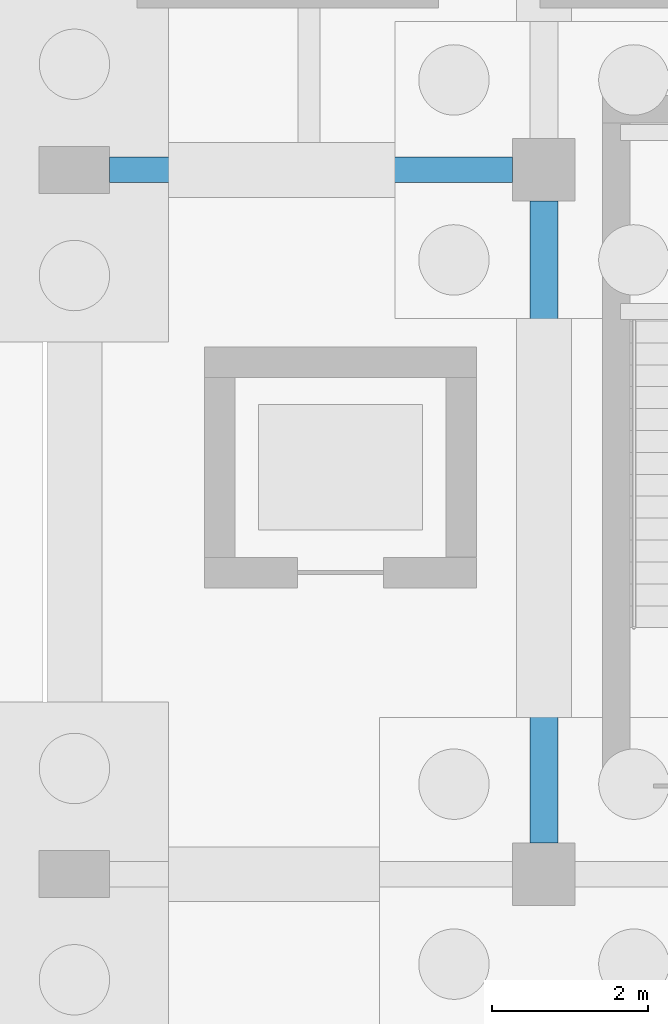
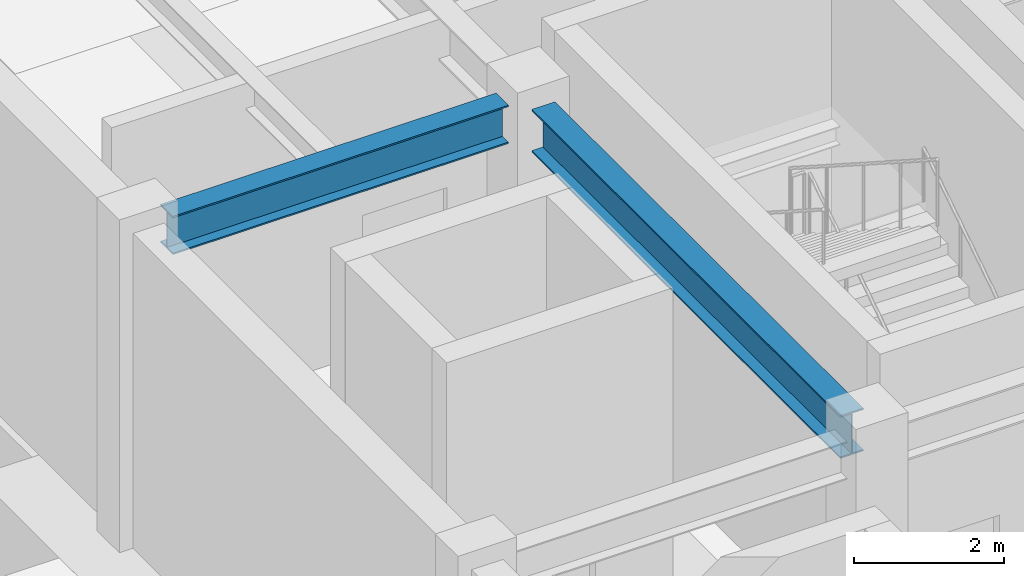
# One storey, part 26 of 69: 2 beams.
"""IFC4 building model written with IfcOpenShell, lengths in metres."""

from ifc_helpers import new_model, si_unit, direction, frame, origin, origin_2d, place, context, subcontext, project, spatial, i_section, extrude, material, material_profile, profile_set, type_object, element, save


model = new_model("IFC4")

# Units and contexts
model_context = context("Model", 3, precision=1e-05, world=origin(), true_north=direction((0.0, 1.0)))
body_context = subcontext(model_context, "Body", "Model", "MODEL_VIEW")
ifc_project = project(units=[si_unit("LENGTHUNIT", "METRE"), si_unit("AREAUNIT", "SQUARE_METRE"), si_unit("VOLUMEUNIT", "CUBIC_METRE"), si_unit("PLANEANGLEUNIT", "RADIAN"), si_unit("MASSUNIT", "GRAM", prefix="KILO")], contexts=[model_context])

# Site, building, storey
site_placement = place(None, origin())
site = spatial("IfcSite", under=ifc_project, at=site_placement, CompositionType="ELEMENT")
building_placement = place(site_placement, origin())
building = spatial("IfcBuilding", under=site, at=building_placement, Name="Vaelkrest Opera House", CompositionType="ELEMENT")
storey_placement = place(building_placement, frame((0.0, 0.0, -5.39990234375)))
storey = spatial("IfcBuildingStorey", under=building, at=storey_placement, Name="B1", CompositionType="ELEMENT", Elevation=-5.39990234375)

# Beams
ifc_material = material(Name="Steel A992 Gr50", Category="steel")
ifc_material_profile_1 = material_profile(ifc_material, i_section(OverallWidth=0.35498046875, OverallDepth=0.695068359375, WebThickness=0.015380859375, FlangeThickness=0.02490234375, at=origin_2d()), Name="W27X146")
ifc_profile_set_1 = profile_set([ifc_material_profile_1], Name="Steel A992 Gr50")
beam_type_1 = type_object("IfcBeamType", Name="B10", PredefinedType="BEAM", material=ifc_profile_set_1)
beam_1_placement = place(storey_placement, frame((-24.0, -28.39990234375, 4.71240234375), z_axis=(0.0, 1.0, 0.0), x_axis=(-1.0, 0.0, 0.0)))
element("IfcBeam", 1, at=beam_1_placement, inside=storey, type_object=beam_type_1, Name="Beam BM-V1-B1-0037", PredefinedType="BEAM", context=body_context, shape_type="SweptSolid", body=[
    extrude(i_section(OverallWidth=0.35498046875, OverallDepth=0.695068359375, WebThickness=0.015380859375, FlangeThickness=0.02490234375, at=origin_2d()), origin(), (0.0, 0.0, 1.0), 8.199951171875),
])
ifc_material_profile_2 = material_profile(ifc_material, i_section(OverallWidth=0.326904296875, OverallDepth=0.6220703125, WebThickness=0.015380859375, FlangeThickness=0.0244140625, at=origin_2d()), Name="W24X131")
ifc_profile_set_2 = profile_set([ifc_material_profile_2], Name="Steel A992 Gr50")
beam_type_2 = type_object("IfcBeamType", Name="B19", PredefinedType="BEAM", material=ifc_profile_set_2)
beam_2_placement = place(storey_placement, frame((-29.550048828125, -19.800048828125, 4.7490234375), z_axis=(1.0, 0.0, 0.0), x_axis=(0.0, 1.0, 0.0)))
element("IfcBeam", 2, at=beam_2_placement, inside=storey, type_object=beam_type_2, Name="Beam BM-V1-B1-0019", PredefinedType="BEAM", context=body_context, shape_type="SweptSolid", body=[
    extrude(i_section(OverallWidth=0.326904296875, OverallDepth=0.6220703125, WebThickness=0.015380859375, FlangeThickness=0.0244140625, at=origin_2d()), origin(), (0.0, 0.0, 1.0), 5.150146484375),
])

save(model, "model.ifc")
